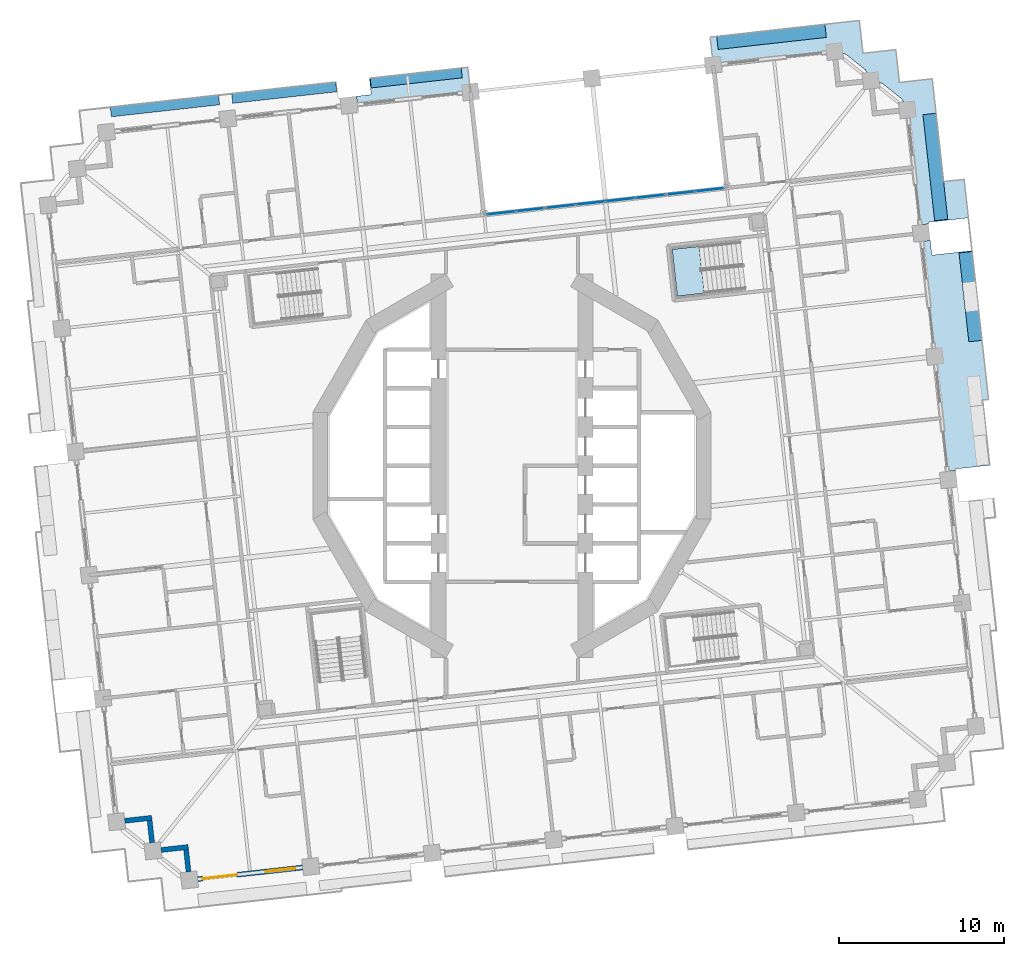
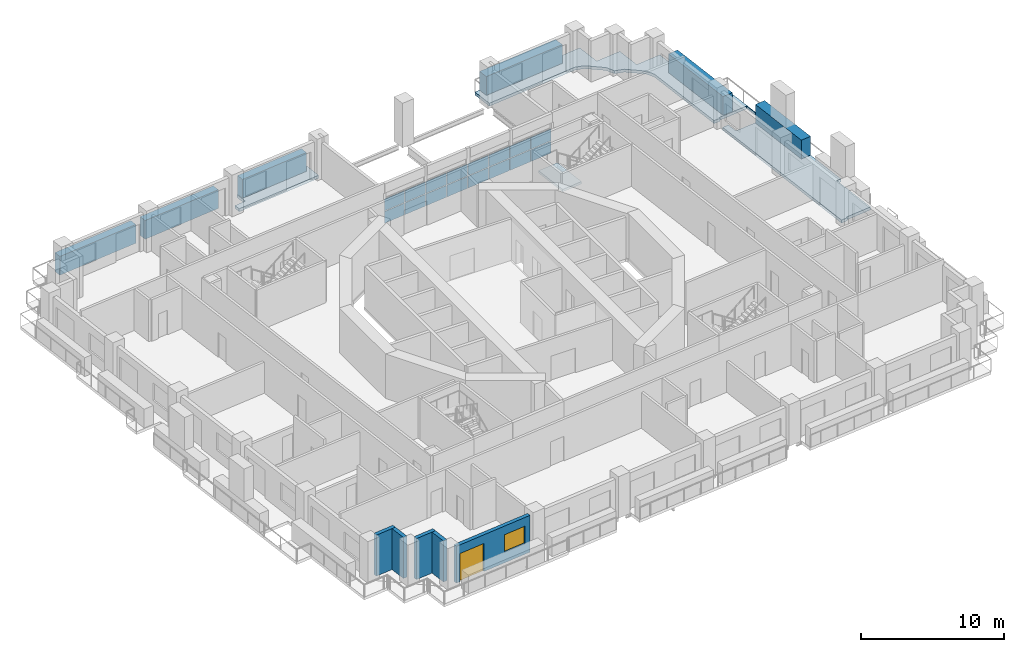
# One storey, part 6 of 20: 22 plates, 5 walls, 3 slabs, 1 door, 1 window, 2 openings, 2 elements without a shape of their own.
"""IFC4 building model written with IfcOpenShell, lengths in metres."""

from ifc_helpers import new_model, si_unit, direction, frame, frame_2d, origin, origin_2d, place, context, subcontext, project, spatial, polyline, rectangle, outline, extrude, material, layer, layer_set, type_object, element, fill, aggregate, save


model = new_model("IFC4")

# Units and contexts
model_context = context("Model", 3, precision=1e-05, world=origin(), true_north=direction((0.0, 1.0)))
body_context = subcontext(model_context, "Body", "Model", "MODEL_VIEW")
ifc_project = project(units=[si_unit("LENGTHUNIT", "METRE"), si_unit("AREAUNIT", "SQUARE_METRE"), si_unit("VOLUMEUNIT", "CUBIC_METRE"), si_unit("PLANEANGLEUNIT", "RADIAN"), si_unit("MASSUNIT", "GRAM", prefix="KILO")], contexts=[model_context])

# Site, building, storey
site_placement = place(None, origin())
site = spatial("IfcSite", under=ifc_project, at=site_placement, CompositionType="ELEMENT")
building_placement = place(site_placement, origin())
building = spatial("IfcBuilding", under=site, at=building_placement, Name="Cantera Rosa Tower", CompositionType="ELEMENT")
storey_placement = place(building_placement, frame((0.0, 0.0, 50.10009765625)))
storey = spatial("IfcBuildingStorey", under=building, at=storey_placement, Name="L09", CompositionType="ELEMENT", Elevation=50.10009765625)

# Curtain wall, plates
ifc_material_1 = material(Name="Aluminium frame with clear glass", Category="aluminium")
curtain_wall_type = type_object("IfcCurtainWallType", Name="CW1 TERRACE POCKET GLAZING", PredefinedType="NOTDEFINED", material=ifc_material_1)
curtain_wall_placement = place(storey_placement, origin())
curtain_wall = element("IfcCurtainWall", 1, at=curtain_wall_placement, inside=storey, type_object=curtain_wall_type, Name="CW1 CW1", PredefinedType="NOTDEFINED")
ifc_material_2 = material(Name="Aluminium frame with clear glass", Category="aluminium")
ifc_layer_1 = layer(ifc_material_2, 0.028076171875)
ifc_layer_set_1 = layer_set([ifc_layer_1], Name="CW-PANEL POCKET")
plate_type_1 = type_object("IfcPlateType", Name="CW-PANEL POCKET", PredefinedType="CURTAIN_PANEL", material=ifc_layer_set_1)
plate_1_placement = place(storey_placement, frame((11.97900390625, 16.723388671875, 0.06005859375), z_axis=(0.0, 0.0, 1.0), x_axis=(-0.993896946413, -0.110312555543, 0.0)))
plate_1 = element("IfcPlate", 2, at=plate_1_placement, type_object=plate_type_1, Name="CW1 panel 1.1", PredefinedType="CURTAIN_PANEL", context=body_context, shape_type="SweptSolid", body=[
    extrude(rectangle(XDim=1.728759765625, YDim=0.028076171875, at=origin_2d()), origin(), (0.0, 0.0, 1.0), 1.0029296875),
])
plate_2_placement = place(storey_placement, frame((11.97900390625, 16.723388671875, 1.123046875), z_axis=(0.0, 0.0, 1.0), x_axis=(-0.993896946413, -0.110312555543, 0.0)))
plate_2 = element("IfcPlate", 3, at=plate_2_placement, type_object=plate_type_1, Name="CW1 panel 1.2", PredefinedType="CURTAIN_PANEL", context=body_context, shape_type="SweptSolid", body=[
    extrude(rectangle(XDim=1.728759765625, YDim=0.028076171875, at=origin_2d()), origin(), (0.0, 0.0, 1.0), 1.0029296875),
])
plate_3_placement = place(storey_placement, frame((10.186279296875, 16.5244140625, 0.06005859375), z_axis=(0.0, 0.0, 1.0), x_axis=(-0.993896946413, -0.110312555543, 0.0)))
plate_3 = element("IfcPlate", 4, at=plate_3_placement, type_object=plate_type_1, Name="CW1 panel 2.1", PredefinedType="CURTAIN_PANEL", context=body_context, shape_type="SweptSolid", body=[
    extrude(rectangle(XDim=1.7587890625, YDim=0.028076171875, at=origin_2d()), origin(), (0.0, 0.0, 1.0), 1.0029296875),
])
plate_4_placement = place(storey_placement, frame((10.186279296875, 16.5244140625, 1.123046875), z_axis=(0.0, 0.0, 1.0), x_axis=(-0.993896946413, -0.110312555543, 0.0)))
plate_4 = element("IfcPlate", 5, at=plate_4_placement, type_object=plate_type_1, Name="CW1 panel 2.2", PredefinedType="CURTAIN_PANEL", context=body_context, shape_type="SweptSolid", body=[
    extrude(rectangle(XDim=1.7587890625, YDim=0.028076171875, at=origin_2d()), origin(), (0.0, 0.0, 1.0), 1.0029296875),
])
plate_5_placement = place(storey_placement, frame((8.37841796875, 16.323974609375, 0.06005859375), z_axis=(0.0, 0.0, 1.0), x_axis=(-0.993896946413, -0.110312555543, 0.0)))
plate_5 = element("IfcPlate", 6, at=plate_5_placement, type_object=plate_type_1, Name="CW1 panel 3.1", PredefinedType="CURTAIN_PANEL", context=body_context, shape_type="SweptSolid", body=[
    extrude(rectangle(XDim=1.7587890625, YDim=0.028076171875, at=origin_2d()), origin(), (0.0, 0.0, 1.0), 1.0029296875),
])
plate_6_placement = place(storey_placement, frame((8.37841796875, 16.323974609375, 1.123046875), z_axis=(0.0, 0.0, 1.0), x_axis=(-0.993896946413, -0.110312555543, 0.0)))
plate_6 = element("IfcPlate", 7, at=plate_6_placement, type_object=plate_type_1, Name="CW1 panel 3.2", PredefinedType="CURTAIN_PANEL", context=body_context, shape_type="SweptSolid", body=[
    extrude(rectangle(XDim=1.7587890625, YDim=0.028076171875, at=origin_2d()), origin(), (0.0, 0.0, 1.0), 1.0029296875),
])
plate_7_placement = place(storey_placement, frame((6.57080078125, 16.123291015625, 0.06005859375), z_axis=(0.0, 0.0, 1.0), x_axis=(-0.993896946413, -0.110312555543, 0.0)))
plate_7 = element("IfcPlate", 8, at=plate_7_placement, type_object=plate_type_1, Name="CW1 panel 4.1", PredefinedType="CURTAIN_PANEL", context=body_context, shape_type="SweptSolid", body=[
    extrude(rectangle(XDim=1.7587890625, YDim=0.028076171875, at=origin_2d()), origin(), (0.0, 0.0, 1.0), 1.0029296875),
])
plate_8_placement = place(storey_placement, frame((6.57080078125, 16.123291015625, 1.123046875), z_axis=(0.0, 0.0, 1.0), x_axis=(-0.993896946413, -0.110312555543, 0.0)))
plate_8 = element("IfcPlate", 9, at=plate_8_placement, type_object=plate_type_1, Name="CW1 panel 4.2", PredefinedType="CURTAIN_PANEL", context=body_context, shape_type="SweptSolid", body=[
    extrude(rectangle(XDim=1.7587890625, YDim=0.028076171875, at=origin_2d()), origin(), (0.0, 0.0, 1.0), 1.0029296875),
])
plate_9_placement = place(storey_placement, frame((4.76318359375, 15.922607421875, 0.06005859375), z_axis=(0.0, 0.0, 1.0), x_axis=(-0.993896946413, -0.110312555543, 0.0)))
plate_9 = element("IfcPlate", 10, at=plate_9_placement, type_object=plate_type_1, Name="CW1 panel 5.1", PredefinedType="CURTAIN_PANEL", context=body_context, shape_type="SweptSolid", body=[
    extrude(rectangle(XDim=1.7587890625, YDim=0.028076171875, at=origin_2d()), origin(), (0.0, 0.0, 1.0), 1.0029296875),
])
plate_10_placement = place(storey_placement, frame((4.76318359375, 15.922607421875, 1.123046875), z_axis=(0.0, 0.0, 1.0), x_axis=(-0.993896946413, -0.110312555543, 0.0)))
plate_10 = element("IfcPlate", 11, at=plate_10_placement, type_object=plate_type_1, Name="CW1 panel 5.2", PredefinedType="CURTAIN_PANEL", context=body_context, shape_type="SweptSolid", body=[
    extrude(rectangle(XDim=1.7587890625, YDim=0.028076171875, at=origin_2d()), origin(), (0.0, 0.0, 1.0), 1.0029296875),
])
plate_11_placement = place(storey_placement, frame((2.95556640625, 15.721923828125, 0.06005859375), z_axis=(0.0, 0.0, 1.0), x_axis=(-0.993896946413, -0.110312555543, 0.0)))
plate_11 = element("IfcPlate", 12, at=plate_11_placement, type_object=plate_type_1, Name="CW1 panel 6.1", PredefinedType="CURTAIN_PANEL", context=body_context, shape_type="SweptSolid", body=[
    extrude(rectangle(XDim=1.7587890625, YDim=0.028076171875, at=origin_2d()), origin(), (0.0, 0.0, 1.0), 1.0029296875),
])
plate_12_placement = place(storey_placement, frame((2.95556640625, 15.721923828125, 1.123046875), z_axis=(0.0, 0.0, 1.0), x_axis=(-0.993896946413, -0.110312555543, 0.0)))
plate_12 = element("IfcPlate", 13, at=plate_12_placement, type_object=plate_type_1, Name="CW1 panel 6.2", PredefinedType="CURTAIN_PANEL", context=body_context, shape_type="SweptSolid", body=[
    extrude(rectangle(XDim=1.7587890625, YDim=0.028076171875, at=origin_2d()), origin(), (0.0, 0.0, 1.0), 1.0029296875),
])
plate_13_placement = place(storey_placement, frame((1.14794921875, 15.521240234375, 0.06005859375), z_axis=(0.0, 0.0, 1.0), x_axis=(-0.993896946413, -0.110312555543, 0.0)))
plate_13 = element("IfcPlate", 14, at=plate_13_placement, type_object=plate_type_1, Name="CW1 panel 7.1", PredefinedType="CURTAIN_PANEL", context=body_context, shape_type="SweptSolid", body=[
    extrude(rectangle(XDim=1.7587890625, YDim=0.028076171875, at=origin_2d()), origin(), (0.0, 0.0, 1.0), 1.0029296875),
])
plate_14_placement = place(storey_placement, frame((1.14794921875, 15.521240234375, 1.123046875), z_axis=(0.0, 0.0, 1.0), x_axis=(-0.993896946413, -0.110312555543, 0.0)))
plate_14 = element("IfcPlate", 15, at=plate_14_placement, type_object=plate_type_1, Name="CW1 panel 7.2", PredefinedType="CURTAIN_PANEL", context=body_context, shape_type="SweptSolid", body=[
    extrude(rectangle(XDim=1.7587890625, YDim=0.028076171875, at=origin_2d()), origin(), (0.0, 0.0, 1.0), 1.0029296875),
])
plate_15_placement = place(storey_placement, frame((-0.644775390625, 15.322265625, 0.06005859375), z_axis=(0.0, 0.0, 1.0), x_axis=(-0.993896946413, -0.110312555543, 0.0)))
plate_15 = element("IfcPlate", 16, at=plate_15_placement, type_object=plate_type_1, Name="CW1 panel 8.1", PredefinedType="CURTAIN_PANEL", context=body_context, shape_type="SweptSolid", body=[
    extrude(rectangle(XDim=1.728759765625, YDim=0.028076171875, at=origin_2d()), origin(), (0.0, 0.0, 1.0), 1.0029296875),
])
plate_16_placement = place(storey_placement, frame((-0.644775390625, 15.322265625, 1.123046875), z_axis=(0.0, 0.0, 1.0), x_axis=(-0.993896946413, -0.110312555543, 0.0)))
plate_16 = element("IfcPlate", 17, at=plate_16_placement, type_object=plate_type_1, Name="CW1 panel 8.2", PredefinedType="CURTAIN_PANEL", context=body_context, shape_type="SweptSolid", body=[
    extrude(rectangle(XDim=1.728759765625, YDim=0.028076171875, at=origin_2d()), origin(), (0.0, 0.0, 1.0), 1.0029296875),
])
aggregate(curtain_wall, [plate_1, plate_2, plate_3, plate_4, plate_5, plate_6, plate_7, plate_8, plate_9, plate_10, plate_11, plate_12, plate_13, plate_14, plate_15, plate_16])

# Slabs
ifc_material_3 = material(Name="Concrete C35/45", Category="concrete")
ifc_layer_2 = layer(ifc_material_3, 0.25)
ifc_layer_set_2 = layer_set([ifc_layer_2], Name="LOGGIA SLAB 250 C35/45")
slab_type_1 = type_object("IfcSlabType", Name="LOGGIA SLAB 250 C35/45", PredefinedType="FLOOR", material=ifc_layer_set_2)
slab_1_placement = place(storey_placement, frame((0.0, 0.0, -0.25)))
element("IfcSlab", 18, at=slab_1_placement, inside=storey, type_object=slab_type_1, Name="LOGGIA SLAB L09 3", PredefinedType="FLOOR", context=body_context, shape_type="SweptSolid", body=[
    extrude(outline(polyline([(-2.6806640625, 24.151611328125), (-2.51513671875, 22.660888671875), (-9.373046875, 21.899658203125), (-9.42822265625, 22.396484375), (-8.53369140625, 22.495849609375), (-8.64404296875, 23.48974609375), (-8.544677734375, 23.5009765625), (-4.17138671875, 23.986083984375), (-2.6806640625, 24.151611328125)])), origin(), (0.0, 0.0, 1.0), 0.25),
])
slab_2_placement = place(storey_placement, frame((0.0, 0.0, -0.25)))
element("IfcSlab", 19, at=slab_2_placement, inside=storey, type_object=slab_type_1, Name="LOGGIA SLAB L09 6", PredefinedType="FLOOR", context=body_context, shape_type="SweptSolid", body=[
    extrude(outline(polyline([(21.051513671875, 26.98681640625), (21.239013671875, 25.29736328125), (21.272216796875, 24.999267578125), (21.5703125, 25.0322265625), (23.260009765625, 25.2197265625), (23.447509765625, 23.5302734375), (23.48046875, 23.23193359375), (23.77880859375, 23.26513671875), (25.46826171875, 23.45263671875), (25.65576171875, 21.762939453125), (26.159912109375, 17.22021484375), (27.40185546875, 17.358154296875), (28.882080078125, 4.021240234375), (28.5224609375, 3.981201171875), (28.96044921875, 0.034912109375), (26.885498046875, -0.1953125), (26.896728515625, -0.294921875), (26.399658203125, -0.349853515625), (24.850830078125, 13.6044921875), (25.347900390625, 13.65966796875), (25.447265625, 12.764892578125), (27.83251953125, 13.02978515625), (27.61181640625, 15.017578125), (25.2265625, 14.752685546875), (25.237548828125, 14.653564453125), (24.740478515625, 14.598388671875), (23.96630859375, 21.575439453125), (23.677001953125, 22.161865234375), (23.66162109375, 22.18701171875), (23.643798828125, 22.21044921875), (23.62353515625, 22.23193359375), (23.6015625, 22.25146484375), (22.497314453125, 23.135009765625), (22.473388671875, 23.15234375), (22.447998046875, 23.1669921875), (22.42138671875, 23.179443359375), (22.393310546875, 23.18896484375), (21.7578125, 23.342529296875), (21.468505859375, 23.92919921875), (21.453125, 23.9541015625), (21.435302734375, 23.9775390625), (21.415283203125, 23.999267578125), (21.39306640625, 24.018798828125), (20.288818359375, 24.902099609375), (20.26513671875, 24.91943359375), (20.239501953125, 24.934326171875), (20.212890625, 24.946533203125), (20.18505859375, 24.9560546875), (19.54931640625, 25.10986328125), (18.642578125, 25.00927734375), (12.194580078125, 24.29345703125), (12.007080078125, 25.983154296875), (19.36181640625, 26.79931640625), (21.051513671875, 26.98681640625)])), origin(), (0.0, 0.0, 1.0), 0.25),
])

# Plates
ifc_material_4 = material(Name="Cantera stone planter with soil", Category="masonry")
plate_type_2 = type_object("IfcPlateType", Name="PLANTER 600", PredefinedType="USERDEFINED", material=ifc_material_4)
plate_17_placement = place(storey_placement, frame((-5.80322265625, 23.503173828125, -0.000244140625), z_axis=(0.0, 0.0, 1.0), x_axis=(-0.993896946415, -0.110312555526, 0.0)))
element("IfcPlate", 20, at=plate_17_placement, inside=storey, type_object=plate_type_2, Name="PLANTER L09-09", ObjectType="PLANTER", PredefinedType="USERDEFINED", context=body_context, shape_type="SweptSolid", body=[
    extrude(rectangle(XDim=5.550048828125, YDim=0.60009765625, at=origin_2d()), origin(), (0.0, 0.0, 1.0), 1.60009765625),
])
plate_18_placement = place(storey_placement, frame((-13.803955078125, 22.615234375, -0.000244140625), z_axis=(0.0, 0.0, 1.0), x_axis=(-0.993896946415, -0.110312555526, 0.0)))
element("IfcPlate", 21, at=plate_18_placement, inside=storey, type_object=plate_type_2, Name="PLANTER L09-10", ObjectType="PLANTER", PredefinedType="USERDEFINED", context=body_context, shape_type="SweptSolid", body=[
    extrude(rectangle(XDim=6.35009765625, YDim=0.60009765625, at=origin_2d()), origin(), (0.0, 0.0, 1.0), 1.60009765625),
])
plate_19_placement = place(storey_placement, frame((-21.03466796875, 21.812744140625, -0.000244140625), z_axis=(0.0, 0.0, 1.0), x_axis=(-0.993896946415, -0.110312555526, 0.0)))
element("IfcPlate", 22, at=plate_19_placement, inside=storey, type_object=plate_type_2, Name="PLANTER L09-11", ObjectType="PLANTER", PredefinedType="USERDEFINED", context=body_context, shape_type="SweptSolid", body=[
    extrude(rectangle(XDim=6.60009765625, YDim=0.60009765625, at=origin_2d()), origin(), (0.0, 0.0, 1.0), 1.60009765625),
])
ifc_material_5 = material(Name="Cantera stone planter with soil", Category="masonry")
plate_type_3 = type_object("IfcPlateType", Name="PLANTER 800", PredefinedType="USERDEFINED", material=ifc_material_5)
plate_20_placement = place(storey_placement, frame((27.78857421875, 10.248046875, -0.000244140625), z_axis=(0.0, 0.0, 1.0), x_axis=(-0.110312555526, 0.993896946415, 0.0)))
element("IfcPlate", 23, at=plate_20_placement, inside=storey, type_object=plate_type_3, Name="PLANTER L09-04", ObjectType="PLANTER", PredefinedType="USERDEFINED", context=body_context, shape_type="SweptSolid", body=[
    extrude(rectangle(XDim=5.419921875, YDim=0.800048828125, at=origin_2d()), origin(), (0.0, 0.0, 1.0), 1.60009765625),
])
plate_21_placement = place(storey_placement, frame((25.6591796875, 18.10595703125, -0.000244140625), z_axis=(0.0, 0.0, 1.0), x_axis=(-0.110312555526, 0.993896946415, 0.0)))
element("IfcPlate", 24, at=plate_21_placement, inside=storey, type_object=plate_type_3, Name="PLANTER L09-05", ObjectType="PLANTER", PredefinedType="USERDEFINED", context=body_context, shape_type="SweptSolid", body=[
    extrude(rectangle(XDim=6.469970703125, YDim=0.800048828125, at=origin_2d()), origin(), (0.0, 0.0, 1.0), 1.60009765625),
])
plate_22_placement = place(storey_placement, frame((15.728515625, 25.99365234375, -0.000244140625), z_axis=(0.0, 0.0, 1.0), x_axis=(-0.993896946415, -0.110312555526, 0.0)))
element("IfcPlate", 25, at=plate_22_placement, inside=storey, type_object=plate_type_3, Name="PLANTER L09-06", ObjectType="PLANTER", PredefinedType="USERDEFINED", context=body_context, shape_type="SweptSolid", body=[
    extrude(rectangle(XDim=6.60009765625, YDim=0.800048828125, at=origin_2d()), origin(), (0.0, 0.0, 1.0), 1.60009765625),
])

# Stair, slab
ifc_material_6 = material(Name="Concrete C35/45", Category="concrete")
stair_type = type_object("IfcStairType", Name="EXIT STAIR 1350 DOGLEG", PredefinedType="HALF_TURN_STAIR", material=ifc_material_6)
stair_placement = place(storey_placement, origin())
stair = element("IfcStair", 26, at=stair_placement, inside=storey, type_object=stair_type, Name="L09 ST-11", PredefinedType="HALF_TURN_STAIR")
ifc_material_7 = material(Name="Concrete C35/45", Category="concrete")
ifc_layer_3 = layer(ifc_material_7, 0.199951171875)
ifc_layer_set_3 = layer_set([ifc_layer_3], Name="STAIR LANDING 200")
slab_type_2 = type_object("IfcSlabType", Name="STAIR LANDING 200", PredefinedType="LANDING", material=ifc_layer_set_3)
slab_3_placement = place(storey_placement, frame((0.0, 0.0, 1.699951171875)))
slab_3 = element("IfcSlab", 27, at=slab_3_placement, type_object=slab_type_2, Name="ST-11 landing 1", PredefinedType="LANDING", context=body_context, shape_type="SweptSolid", body=[
    extrude(outline(polyline([(11.341552734375, 13.294189453125), (9.70947265625, 13.113037109375), (10.02392578125, 10.2802734375), (11.656005859375, 10.46142578125), (11.341552734375, 13.294189453125)])), origin(), (0.0, 0.0, 1.0), 0.199951171875),
])
aggregate(stair, [slab_3])

# Walls
ifc_material_8 = material(Name="Hollow clay masonry with cantera stone cladding", Category="masonry")
ifc_layer_4 = layer(ifc_material_8, 0.300048828125)
ifc_layer_set_4 = layer_set([ifc_layer_4], Name="EW-LOGGIA 300")
wall_type_1 = type_object("IfcWallType", Name="EW-LOGGIA 300", PredefinedType="SOLIDWALL", material=ifc_layer_set_4)
wall_1_placement = place(storey_placement, frame((-23.46923828125, -21.520263671875, 0.0), z_axis=(0.0, 0.0, 1.0), x_axis=(0.993905369514, 0.110236638423, 0.0)))
element("IfcWall", 28, at=wall_1_placement, inside=storey, type_object=wall_type_1, Name="EN-L09-W21a", PredefinedType="SOLIDWALL", context=body_context, shape_type="SweptSolid", body=[
    extrude(rectangle(XDim=1.64990234375, YDim=0.300048828125, at=frame_2d((0.824951171875, 0.0))), origin(), (0.0, 0.0, 1.0), 3.5),
])
wall_2_placement = place(storey_placement, frame((-21.9619140625, -21.50390625, 0.0), z_axis=(0.0, 0.0, 1.0), x_axis=(0.110312435488, -0.993896959738, 0.0)))
element("IfcWall", 29, at=wall_2_placement, inside=storey, type_object=wall_type_1, Name="EN-L09-W21b", PredefinedType="SOLIDWALL", context=body_context, shape_type="SweptSolid", body=[
    extrude(rectangle(XDim=1.35009765625, YDim=0.300048828125, at=frame_2d((0.675048828125, 0.0))), origin(), (0.0, 0.0, 1.0), 3.5),
])
wall_3_placement = place(storey_placement, frame((-21.2607421875, -23.287353515625, 0.0), z_axis=(0.0, 0.0, 1.0), x_axis=(0.993905369514, 0.110236638423, 0.0)))
element("IfcWall", 30, at=wall_3_placement, inside=storey, type_object=wall_type_1, Name="EN-L09-W22a", PredefinedType="SOLIDWALL", context=body_context, shape_type="SweptSolid", body=[
    extrude(rectangle(XDim=1.64990234375, YDim=0.300048828125, at=frame_2d((0.824951171875, 0.0))), origin(), (0.0, 0.0, 1.0), 3.5),
])
wall_4_placement = place(storey_placement, frame((-19.75341796875, -23.27099609375, 0.0), z_axis=(0.0, 0.0, 1.0), x_axis=(0.110312435488, -0.993896959738, 0.0)))
element("IfcWall", 31, at=wall_4_placement, inside=storey, type_object=wall_type_1, Name="EN-L09-W22b", PredefinedType="SOLIDWALL", context=body_context, shape_type="SweptSolid", body=[
    extrude(rectangle(XDim=1.35009765625, YDim=0.300048828125, at=frame_2d((0.675048828125, 0.0))), origin(), (0.0, 0.0, 1.0), 3.5),
])

# Wall, openings, window, door
ifc_material_9 = material(Name="Hollow clay masonry with cantera stone cladding", Category="masonry")
ifc_layer_5 = layer(ifc_material_9, 0.300048828125)
ifc_layer_set_5 = layer_set([ifc_layer_5], Name="EW-LOGGIA 300 H3140")
wall_type_2 = type_object("IfcWallType", Name="EW-LOGGIA 300 H3140", PredefinedType="SOLIDWALL", material=ifc_layer_set_5)
wall_5_placement = place(storey_placement, frame((-19.052490234375, -25.0546875, 0.0), z_axis=(0.0, 0.0, 1.0), x_axis=(0.993896288542, 0.110318482689, 0.0)))
wall_5 = element("IfcWall", 32, at=wall_5_placement, inside=storey, type_object=wall_type_2, Name="EN-L09-W23", PredefinedType="SOLIDWALL", context=body_context, shape_type="SweptSolid", body=[
    extrude(rectangle(XDim=6.400146484375, YDim=0.300048828125, at=frame_2d((3.2001953125, 0.0))), origin(), (0.0, 0.0, 1.0), 3.139892578125),
])
opening_1_placement = place(wall_5_placement, frame((0.300048828125, 0.0, 0.0)))
opening_1 = element("IfcOpeningElement", 33, at=opening_1_placement, cuts=wall_5, Name="Opening L09-TD29", PredefinedType="OPENING", context=body_context, shape_type="SweptSolid", body=[
    extrude(rectangle(XDim=2.10009765625, YDim=2.39990234375, at=frame_2d((1.050048828125, 1.199951171875))), frame((0.0, 0.159912109375, 0.0), z_axis=(0.0, -1.0, 0.0), x_axis=(1.0, 0.0, 0.0)), (0.0, 0.0, 1.0), 0.320068359375),
])
opening_2_placement = place(wall_5_placement, frame((4.14990234375, 0.0, 0.89990234375)))
opening_2 = element("IfcOpeningElement", 34, at=opening_2_placement, cuts=wall_5, Name="Opening L09-W30", PredefinedType="OPENING", context=body_context, shape_type="SweptSolid", body=[
    extrude(rectangle(XDim=1.800048828125, YDim=1.5, at=frame_2d((0.89990234375, 0.75))), frame((0.0, 0.159912109375, 0.0), z_axis=(0.0, -1.0, 0.0), x_axis=(1.0, 0.0, 0.0)), (0.0, 0.0, 1.0), 0.320068359375),
])
ifc_material_10 = material(Name="Aluminium frame with clear glass", Category="aluminium")
window_type = type_object("IfcWindowType", Name="Hotel room window 1800x1500", PartitioningType="DOUBLE_PANEL_VERTICAL", PredefinedType="WINDOW", material=ifc_material_10)
window_placement = place(opening_2_placement, origin())
window = element("IfcWindow", 35, at=window_placement, inside=storey, type_object=window_type, Name="WINDOW L09-W30", OverallHeight=1.5, OverallWidth=1.800048828125, PartitioningType="SINGLE_PANEL", PredefinedType="WINDOW", context=body_context, shape_type="SweptSolid", body=[
    extrude(rectangle(XDim=1.800048828125, YDim=1.5, at=frame_2d((0.89990234375, 0.75))), frame((0.0, 0.030029296875, 0.0), z_axis=(0.0, -1.0, 0.0), x_axis=(1.0, 0.0, 0.0)), (0.0, 0.0, 1.0), 0.06005859375),
])
fill(opening_2, window)
ifc_material_11 = material(Name="Aluminium frame with clear glass", Category="aluminium")
door_type = type_object("IfcDoorType", Name="TD-H 2100x2400", OperationType="NOTDEFINED", PredefinedType="DOOR", material=ifc_material_11)
door_placement = place(opening_1_placement, origin())
door = element("IfcDoor", 36, at=door_placement, inside=storey, type_object=door_type, Name="LOGGIA DOOR L09-TD29", OperationType="SLIDING_TO_LEFT", OverallHeight=2.39990234375, OverallWidth=2.10009765625, PredefinedType="DOOR", context=body_context, shape_type="SweptSolid", body=[
    extrude(rectangle(XDim=2.10009765625, YDim=2.39990234375, at=frame_2d((1.050048828125, 1.199951171875))), frame((0.0, 0.02490234375, 0.0), z_axis=(0.0, -1.0, 0.0), x_axis=(1.0, 0.0, 0.0)), (0.0, 0.0, 1.0), 0.050048828125),
])
fill(opening_1, door)

save(model, "model.ifc")
